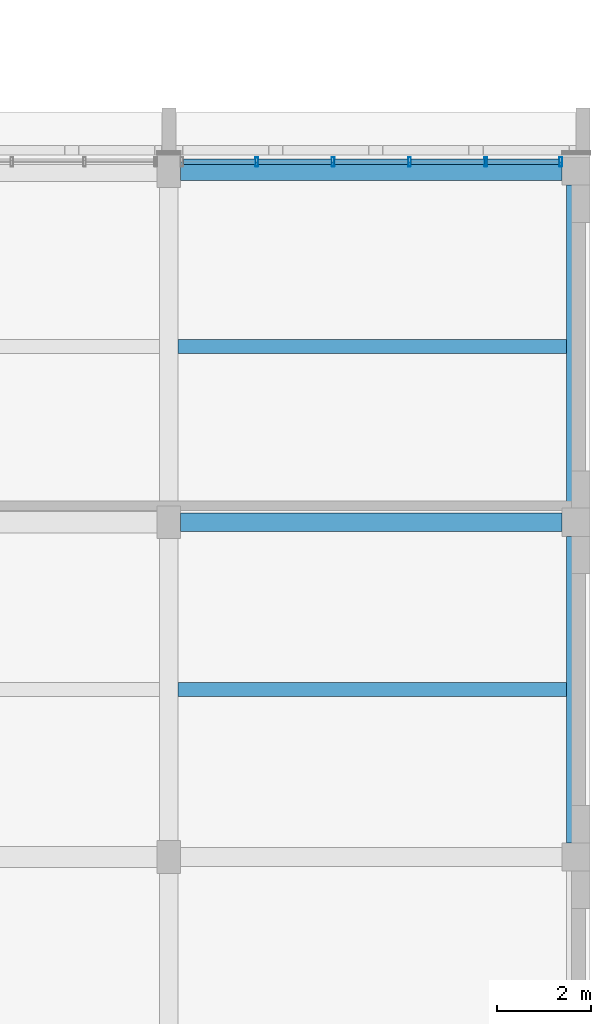
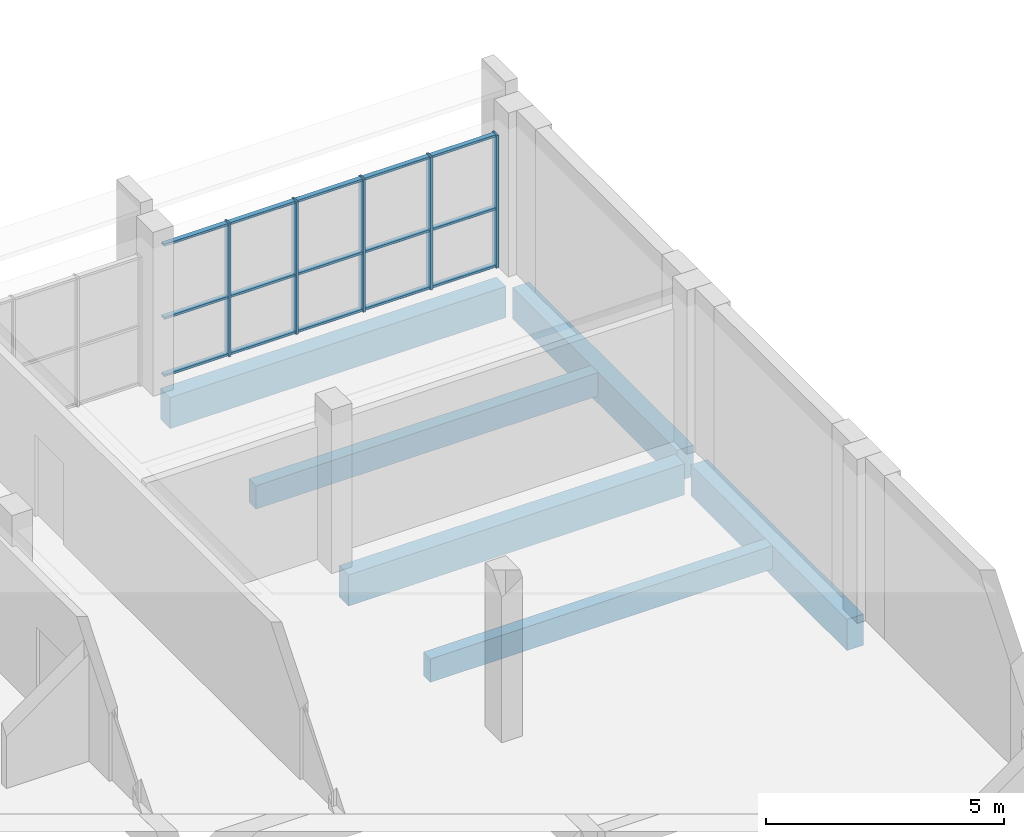
# One storey, part 37 of 92: 20 members, 6 beams, 1 element without a shape of its own.
"""IFC4 building model written with IfcOpenShell, lengths in metres."""

from ifc_helpers import new_model, si_unit, direction, frame, origin, origin_2d, place, context, subcontext, project, spatial, rectangle, hollow_rectangle, extrude, material, material_profile, profile_set, type_object, element, aggregate, save


model = new_model("IFC4")

# Units and contexts
model_context = context("Model", 3, precision=1e-05, world=origin(), true_north=direction((0.0, 1.0)))
body_context = subcontext(model_context, "Body", "Model", "MODEL_VIEW")
ifc_project = project(units=[si_unit("LENGTHUNIT", "METRE"), si_unit("AREAUNIT", "SQUARE_METRE"), si_unit("VOLUMEUNIT", "CUBIC_METRE"), si_unit("PLANEANGLEUNIT", "RADIAN"), si_unit("MASSUNIT", "GRAM", prefix="KILO")], contexts=[model_context])

# Site, building, storey
site_placement = place(None, origin())
site = spatial("IfcSite", under=ifc_project, at=site_placement, CompositionType="ELEMENT")
building_placement = place(site_placement, origin())
building = spatial("IfcBuilding", under=site, at=building_placement, Name="Sun Court Science Centre", CompositionType="ELEMENT")
storey_placement = place(building_placement, frame((0.0, 0.0, 11.25)))
storey = spatial("IfcBuildingStorey", under=building, at=storey_placement, Name="L02", CompositionType="ELEMENT", Elevation=11.25)

# Curtain wall, members
ifc_material_1 = material(Name="Aluminium EN AW-6063 T6", Category="aluminium")
curtain_wall_type = type_object("IfcCurtainWallType", Name="Laboratory tall bay curtain wall 1500", PredefinedType="NOTDEFINED", material=ifc_material_1)
curtain_wall_placement = place(storey_placement, origin())
curtain_wall = element("IfcCurtainWall", 1, at=curtain_wall_placement, inside=storey, type_object=curtain_wall_type, Name="Curtain wall V4 N L02 03", PredefinedType="NOTDEFINED")
ifc_material_2 = material(Name="Aluminium EN AW-6063 T6", Category="aluminium")
ifc_material_profile_1 = material_profile(ifc_material_2, hollow_rectangle(XDim=0.06005859375, YDim=0.199951171875, WallThickness=0.0048828125, InnerFilletRadius=0.0048828125, OuterFilletRadius=0.007568359375, at=origin_2d()), Name="AL 60x200x5")
ifc_profile_set_1 = profile_set([ifc_material_profile_1], Name="Aluminium EN AW-6063 T6")
member_type_1 = type_object("IfcMemberType", Name="Curtain wall mullion AL 60x200", PredefinedType="MULLION", material=ifc_profile_set_1)
member_1_placement = place(storey_placement, frame((96.8798828125, 80.85009765625, 0.0), z_axis=(0.0, 0.0, 1.0), x_axis=(1.0, 0.0, 0.0)))
member_1 = element("IfcMember", 2, at=member_1_placement, type_object=member_type_1, Name="CW2-69 mullion 2", PredefinedType="MULLION", context=body_context, shape_type="SweptSolid", body=[
    extrude(hollow_rectangle(XDim=0.06005859375, YDim=0.199951171875, WallThickness=0.0048828125, InnerFilletRadius=0.0048828125, OuterFilletRadius=0.007568359375, at=origin_2d()), origin(), (0.0, 0.0, 1.0), 3.39990234375),
])
member_2_placement = place(storey_placement, frame((98.510009765625, 80.85009765625, 0.0), z_axis=(0.0, 0.0, 1.0), x_axis=(1.0, 0.0, 0.0)))
member_2 = element("IfcMember", 3, at=member_2_placement, type_object=member_type_1, Name="CW2-69 mullion 3", PredefinedType="MULLION", context=body_context, shape_type="SweptSolid", body=[
    extrude(hollow_rectangle(XDim=0.06005859375, YDim=0.199951171875, WallThickness=0.0048828125, InnerFilletRadius=0.0048828125, OuterFilletRadius=0.007568359375, at=origin_2d()), origin(), (0.0, 0.0, 1.0), 3.39990234375),
])
member_3_placement = place(storey_placement, frame((100.139892578125, 80.85009765625, 0.0), z_axis=(0.0, 0.0, 1.0), x_axis=(1.0, 0.0, 0.0)))
member_3 = element("IfcMember", 4, at=member_3_placement, type_object=member_type_1, Name="CW2-69 mullion 4", PredefinedType="MULLION", context=body_context, shape_type="SweptSolid", body=[
    extrude(hollow_rectangle(XDim=0.06005859375, YDim=0.199951171875, WallThickness=0.0048828125, InnerFilletRadius=0.0048828125, OuterFilletRadius=0.007568359375, at=origin_2d()), origin(), (0.0, 0.0, 1.0), 3.39990234375),
])
member_4_placement = place(storey_placement, frame((101.77001953125, 80.85009765625, 0.0), z_axis=(0.0, 0.0, 1.0), x_axis=(1.0, 0.0, 0.0)))
member_4 = element("IfcMember", 5, at=member_4_placement, type_object=member_type_1, Name="CW2-69 mullion 5", PredefinedType="MULLION", context=body_context, shape_type="SweptSolid", body=[
    extrude(hollow_rectangle(XDim=0.06005859375, YDim=0.199951171875, WallThickness=0.0048828125, InnerFilletRadius=0.0048828125, OuterFilletRadius=0.007568359375, at=origin_2d()), origin(), (0.0, 0.0, 1.0), 3.39990234375),
])
member_5_placement = place(storey_placement, frame((103.3701171875, 80.85009765625, 0.0), z_axis=(0.0, 0.0, 1.0), x_axis=(1.0, 0.0, 0.0)))
member_5 = element("IfcMember", 6, at=member_5_placement, type_object=member_type_1, Name="CW2-69 mullion 6", PredefinedType="MULLION", context=body_context, shape_type="SweptSolid", body=[
    extrude(hollow_rectangle(XDim=0.06005859375, YDim=0.199951171875, WallThickness=0.0048828125, InnerFilletRadius=0.0048828125, OuterFilletRadius=0.007568359375, at=origin_2d()), origin(), (0.0, 0.0, 1.0), 3.39990234375),
])
ifc_material_3 = material(Name="Aluminium EN AW-6063 T6", Category="aluminium")
ifc_material_profile_2 = material_profile(ifc_material_3, hollow_rectangle(XDim=0.06005859375, YDim=0.1201171875, WallThickness=0.00390625, InnerFilletRadius=0.00390625, OuterFilletRadius=0.006103515625, at=origin_2d()), Name="AL 60x120x4")
ifc_profile_set_2 = profile_set([ifc_material_profile_2], Name="Aluminium EN AW-6063 T6")
member_type_2 = type_object("IfcMemberType", Name="Curtain wall transom AL 60x120", PredefinedType="USERDEFINED", material=ifc_profile_set_2)
member_6_placement = place(storey_placement, frame((95.31005859375, 80.85009765625, 0.030029296875), z_axis=(1.0, 0.0, 0.0), x_axis=(0.0, 0.0, 1.0)))
member_6 = element("IfcMember", 7, at=member_6_placement, type_object=member_type_2, Name="CW2-69 transom 1.1", ObjectType="TRANSOM", PredefinedType="USERDEFINED", context=body_context, shape_type="SweptSolid", body=[
    extrude(hollow_rectangle(XDim=0.06005859375, YDim=0.1201171875, WallThickness=0.00390625, InnerFilletRadius=0.00390625, OuterFilletRadius=0.006103515625, at=origin_2d()), origin(), (0.0, 0.0, 1.0), 1.5400390625),
])
member_7_placement = place(storey_placement, frame((96.909912109375, 80.85009765625, 0.030029296875), z_axis=(1.0, 0.0, 0.0), x_axis=(0.0, 0.0, 1.0)))
member_7 = element("IfcMember", 8, at=member_7_placement, type_object=member_type_2, Name="CW2-69 transom 2.1", ObjectType="TRANSOM", PredefinedType="USERDEFINED", context=body_context, shape_type="SweptSolid", body=[
    extrude(hollow_rectangle(XDim=0.06005859375, YDim=0.1201171875, WallThickness=0.00390625, InnerFilletRadius=0.00390625, OuterFilletRadius=0.006103515625, at=origin_2d()), origin(), (0.0, 0.0, 1.0), 1.570068359375),
])
member_8_placement = place(storey_placement, frame((98.5400390625, 80.85009765625, 0.030029296875), z_axis=(1.0, 0.0, 0.0), x_axis=(0.0, 0.0, 1.0)))
member_8 = element("IfcMember", 9, at=member_8_placement, type_object=member_type_2, Name="CW2-69 transom 3.1", ObjectType="TRANSOM", PredefinedType="USERDEFINED", context=body_context, shape_type="SweptSolid", body=[
    extrude(hollow_rectangle(XDim=0.06005859375, YDim=0.1201171875, WallThickness=0.00390625, InnerFilletRadius=0.00390625, OuterFilletRadius=0.006103515625, at=origin_2d()), origin(), (0.0, 0.0, 1.0), 1.570068359375),
])
member_9_placement = place(storey_placement, frame((100.169921875, 80.85009765625, 0.030029296875), z_axis=(1.0, 0.0, 0.0), x_axis=(0.0, 0.0, 1.0)))
member_9 = element("IfcMember", 10, at=member_9_placement, type_object=member_type_2, Name="CW2-69 transom 4.1", ObjectType="TRANSOM", PredefinedType="USERDEFINED", context=body_context, shape_type="SweptSolid", body=[
    extrude(hollow_rectangle(XDim=0.06005859375, YDim=0.1201171875, WallThickness=0.00390625, InnerFilletRadius=0.00390625, OuterFilletRadius=0.006103515625, at=origin_2d()), origin(), (0.0, 0.0, 1.0), 1.570068359375),
])
member_10_placement = place(storey_placement, frame((101.800048828125, 80.85009765625, 0.030029296875), z_axis=(1.0, 0.0, 0.0), x_axis=(0.0, 0.0, 1.0)))
member_10 = element("IfcMember", 11, at=member_10_placement, type_object=member_type_2, Name="CW2-69 transom 5.1", ObjectType="TRANSOM", PredefinedType="USERDEFINED", context=body_context, shape_type="SweptSolid", body=[
    extrude(hollow_rectangle(XDim=0.06005859375, YDim=0.1201171875, WallThickness=0.00390625, InnerFilletRadius=0.00390625, OuterFilletRadius=0.006103515625, at=origin_2d()), origin(), (0.0, 0.0, 1.0), 1.5400390625),
])
member_11_placement = place(storey_placement, frame((95.31005859375, 80.85009765625, 1.5), z_axis=(1.0, 0.0, 0.0), x_axis=(0.0, 0.0, 1.0)))
member_11 = element("IfcMember", 12, at=member_11_placement, type_object=member_type_2, Name="CW2-69 transom 1.2", ObjectType="TRANSOM", PredefinedType="USERDEFINED", context=body_context, shape_type="SweptSolid", body=[
    extrude(hollow_rectangle(XDim=0.06005859375, YDim=0.1201171875, WallThickness=0.00390625, InnerFilletRadius=0.00390625, OuterFilletRadius=0.006103515625, at=origin_2d()), origin(), (0.0, 0.0, 1.0), 1.5400390625),
])
member_12_placement = place(storey_placement, frame((96.909912109375, 80.85009765625, 1.5), z_axis=(1.0, 0.0, 0.0), x_axis=(0.0, 0.0, 1.0)))
member_12 = element("IfcMember", 13, at=member_12_placement, type_object=member_type_2, Name="CW2-69 transom 2.2", ObjectType="TRANSOM", PredefinedType="USERDEFINED", context=body_context, shape_type="SweptSolid", body=[
    extrude(hollow_rectangle(XDim=0.06005859375, YDim=0.1201171875, WallThickness=0.00390625, InnerFilletRadius=0.00390625, OuterFilletRadius=0.006103515625, at=origin_2d()), origin(), (0.0, 0.0, 1.0), 1.570068359375),
])
member_13_placement = place(storey_placement, frame((98.5400390625, 80.85009765625, 1.5), z_axis=(1.0, 0.0, 0.0), x_axis=(0.0, 0.0, 1.0)))
member_13 = element("IfcMember", 14, at=member_13_placement, type_object=member_type_2, Name="CW2-69 transom 3.2", ObjectType="TRANSOM", PredefinedType="USERDEFINED", context=body_context, shape_type="SweptSolid", body=[
    extrude(hollow_rectangle(XDim=0.06005859375, YDim=0.1201171875, WallThickness=0.00390625, InnerFilletRadius=0.00390625, OuterFilletRadius=0.006103515625, at=origin_2d()), origin(), (0.0, 0.0, 1.0), 1.570068359375),
])
member_14_placement = place(storey_placement, frame((100.169921875, 80.85009765625, 1.5), z_axis=(1.0, 0.0, 0.0), x_axis=(0.0, 0.0, 1.0)))
member_14 = element("IfcMember", 15, at=member_14_placement, type_object=member_type_2, Name="CW2-69 transom 4.2", ObjectType="TRANSOM", PredefinedType="USERDEFINED", context=body_context, shape_type="SweptSolid", body=[
    extrude(hollow_rectangle(XDim=0.06005859375, YDim=0.1201171875, WallThickness=0.00390625, InnerFilletRadius=0.00390625, OuterFilletRadius=0.006103515625, at=origin_2d()), origin(), (0.0, 0.0, 1.0), 1.570068359375),
])
member_15_placement = place(storey_placement, frame((101.800048828125, 80.85009765625, 1.5), z_axis=(1.0, 0.0, 0.0), x_axis=(0.0, 0.0, 1.0)))
member_15 = element("IfcMember", 16, at=member_15_placement, type_object=member_type_2, Name="CW2-69 transom 5.2", ObjectType="TRANSOM", PredefinedType="USERDEFINED", context=body_context, shape_type="SweptSolid", body=[
    extrude(hollow_rectangle(XDim=0.06005859375, YDim=0.1201171875, WallThickness=0.00390625, InnerFilletRadius=0.00390625, OuterFilletRadius=0.006103515625, at=origin_2d()), origin(), (0.0, 0.0, 1.0), 1.5400390625),
])
member_16_placement = place(storey_placement, frame((95.31005859375, 80.85009765625, 3.3701171875), z_axis=(1.0, 0.0, 0.0), x_axis=(0.0, 0.0, 1.0)))
member_16 = element("IfcMember", 17, at=member_16_placement, type_object=member_type_2, Name="CW2-69 transom 1.3", ObjectType="TRANSOM", PredefinedType="USERDEFINED", context=body_context, shape_type="SweptSolid", body=[
    extrude(hollow_rectangle(XDim=0.06005859375, YDim=0.1201171875, WallThickness=0.00390625, InnerFilletRadius=0.00390625, OuterFilletRadius=0.006103515625, at=origin_2d()), origin(), (0.0, 0.0, 1.0), 1.5400390625),
])
member_17_placement = place(storey_placement, frame((96.909912109375, 80.85009765625, 3.3701171875), z_axis=(1.0, 0.0, 0.0), x_axis=(0.0, 0.0, 1.0)))
member_17 = element("IfcMember", 18, at=member_17_placement, type_object=member_type_2, Name="CW2-69 transom 2.3", ObjectType="TRANSOM", PredefinedType="USERDEFINED", context=body_context, shape_type="SweptSolid", body=[
    extrude(hollow_rectangle(XDim=0.06005859375, YDim=0.1201171875, WallThickness=0.00390625, InnerFilletRadius=0.00390625, OuterFilletRadius=0.006103515625, at=origin_2d()), origin(), (0.0, 0.0, 1.0), 1.570068359375),
])
member_18_placement = place(storey_placement, frame((98.5400390625, 80.85009765625, 3.3701171875), z_axis=(1.0, 0.0, 0.0), x_axis=(0.0, 0.0, 1.0)))
member_18 = element("IfcMember", 19, at=member_18_placement, type_object=member_type_2, Name="CW2-69 transom 3.3", ObjectType="TRANSOM", PredefinedType="USERDEFINED", context=body_context, shape_type="SweptSolid", body=[
    extrude(hollow_rectangle(XDim=0.06005859375, YDim=0.1201171875, WallThickness=0.00390625, InnerFilletRadius=0.00390625, OuterFilletRadius=0.006103515625, at=origin_2d()), origin(), (0.0, 0.0, 1.0), 1.570068359375),
])
member_19_placement = place(storey_placement, frame((100.169921875, 80.85009765625, 3.3701171875), z_axis=(1.0, 0.0, 0.0), x_axis=(0.0, 0.0, 1.0)))
member_19 = element("IfcMember", 20, at=member_19_placement, type_object=member_type_2, Name="CW2-69 transom 4.3", ObjectType="TRANSOM", PredefinedType="USERDEFINED", context=body_context, shape_type="SweptSolid", body=[
    extrude(hollow_rectangle(XDim=0.06005859375, YDim=0.1201171875, WallThickness=0.00390625, InnerFilletRadius=0.00390625, OuterFilletRadius=0.006103515625, at=origin_2d()), origin(), (0.0, 0.0, 1.0), 1.570068359375),
])
member_20_placement = place(storey_placement, frame((101.800048828125, 80.85009765625, 3.3701171875), z_axis=(1.0, 0.0, 0.0), x_axis=(0.0, 0.0, 1.0)))
member_20 = element("IfcMember", 21, at=member_20_placement, type_object=member_type_2, Name="CW2-69 transom 5.3", ObjectType="TRANSOM", PredefinedType="USERDEFINED", context=body_context, shape_type="SweptSolid", body=[
    extrude(hollow_rectangle(XDim=0.06005859375, YDim=0.1201171875, WallThickness=0.00390625, InnerFilletRadius=0.00390625, OuterFilletRadius=0.006103515625, at=origin_2d()), origin(), (0.0, 0.0, 1.0), 1.5400390625),
])
aggregate(curtain_wall, [member_1, member_2, member_3, member_4, member_5, member_6, member_7, member_8, member_9, member_10, member_11, member_12, member_13, member_14, member_15, member_16, member_17, member_18, member_19, member_20])

# Beams
ifc_material_4 = material(Name="Concrete C25/30", Category="concrete")
ifc_material_profile_3 = material_profile(ifc_material_4, rectangle(XDim=0.39990234375, YDim=0.800048828125, at=origin_2d()), Name="RC 400x800")
ifc_profile_set_3 = profile_set([ifc_material_profile_3], Name="Concrete C25/30")
beam_type_1 = type_object("IfcBeamType", Name="RC girder 400x800", PredefinedType="BEAM", material=ifc_profile_set_3)
for number, where, z_axis, x_axis, name in (
    (22, (95.25, 73.14990234375, -0.699951171875), (1.0, 0.0, 0.0), (0.0, 1.0, 0.0), "Girder L02 row 10"),
    (23, (95.25, 80.64990234375, -0.699951171875), (1.0, 0.0, 0.0), (0.0, 1.0, 0.0), "Girder L02 row 11"),
):
    element("IfcBeam", number, at=place(storey_placement, frame(where, z_axis=z_axis, x_axis=x_axis)), inside=storey, type_object=beam_type_1, Name=name, PredefinedType="BEAM", context=body_context, shape_type="SweptSolid", body=[
        extrude(rectangle(XDim=0.39990234375, YDim=0.800048828125, at=origin_2d()), origin(), (0.0, 0.0, 1.0), 8.14990234375),
    ])
beam_1_placement = place(storey_placement, frame((103.699951171875, 66.300048828125, -0.699951171875), z_axis=(0.0, 1.0, 0.0), x_axis=(-1.0, 0.0, 0.0)))
element("IfcBeam", 24, at=beam_1_placement, inside=storey, type_object=beam_type_1, Name="Girder L02 line 4", PredefinedType="BEAM", context=body_context, shape_type="SweptSolid", body=[
    extrude(rectangle(XDim=0.39990234375, YDim=0.800048828125, at=origin_2d()), origin(), (0.0, 0.0, 1.0), 6.550048828125),
])
beam_2_placement = place(storey_placement, frame((103.699951171875, 73.449951171875, -0.699951171875), z_axis=(0.0, 1.0, 0.0), x_axis=(-1.0, 0.0, 0.0)))
element("IfcBeam", 25, at=beam_2_placement, inside=storey, type_object=beam_type_1, Name="Girder L02 line 4", PredefinedType="BEAM", context=body_context, shape_type="SweptSolid", body=[
    extrude(rectangle(XDim=0.39990234375, YDim=0.800048828125, at=origin_2d()), origin(), (0.0, 0.0, 1.0), 6.900146484375),
])
ifc_material_5 = material(Name="Concrete C25/30", Category="concrete")
ifc_material_profile_4 = material_profile(ifc_material_5, rectangle(XDim=0.300048828125, YDim=0.60009765625, at=origin_2d()), Name="RC 300x600")
ifc_profile_set_4 = profile_set([ifc_material_profile_4], Name="Concrete C25/30")
beam_type_2 = type_object("IfcBeamType", Name="RC joist 300x600", PredefinedType="JOIST", material=ifc_profile_set_4)
for number, where, z_axis, x_axis, name in (
    (26, (95.199951171875, 69.574951171875, -0.60009765625), (1.0, 0.0, 0.0), (0.0, 1.0, 0.0), "Joist L02"),
    (27, (95.199951171875, 76.89990234375, -0.60009765625), (1.0, 0.0, 0.0), (0.0, 1.0, 0.0), "Joist L02"),
):
    element("IfcBeam", number, at=place(storey_placement, frame(where, z_axis=z_axis, x_axis=x_axis)), inside=storey, type_object=beam_type_2, Name=name, PredefinedType="JOIST", context=body_context, shape_type="SweptSolid", body=[
        extrude(rectangle(XDim=0.300048828125, YDim=0.60009765625, at=origin_2d()), origin(), (0.0, 0.0, 1.0), 8.300048828125),
    ])

save(model, "model.ifc")
